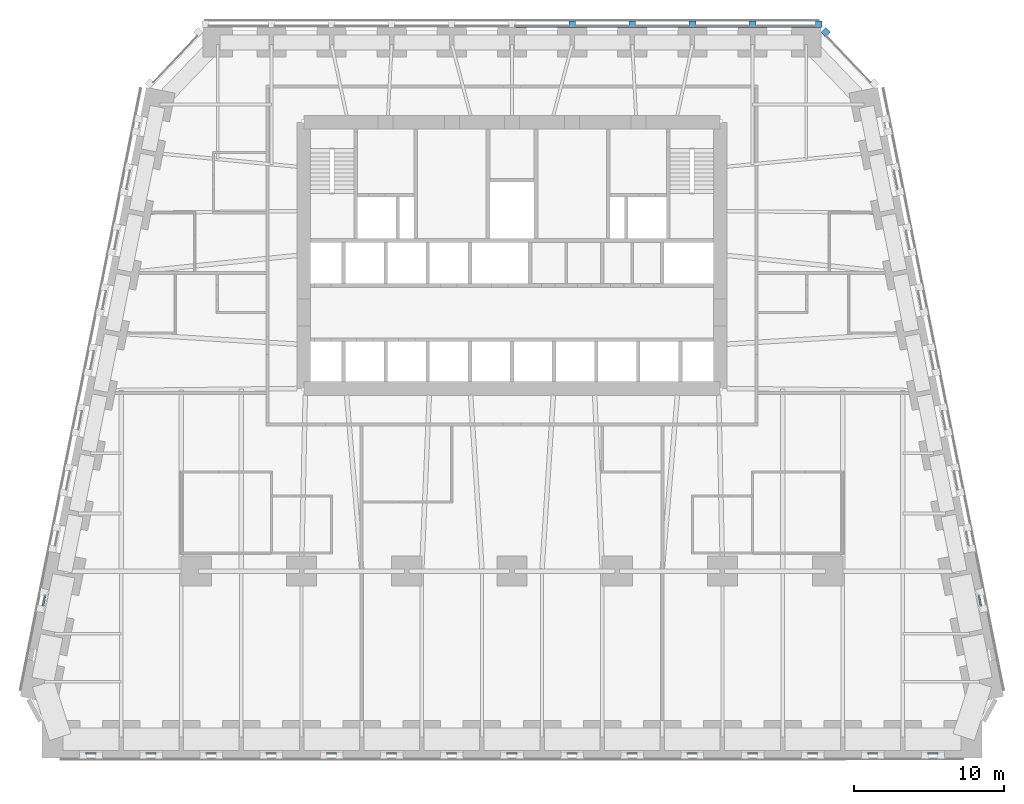
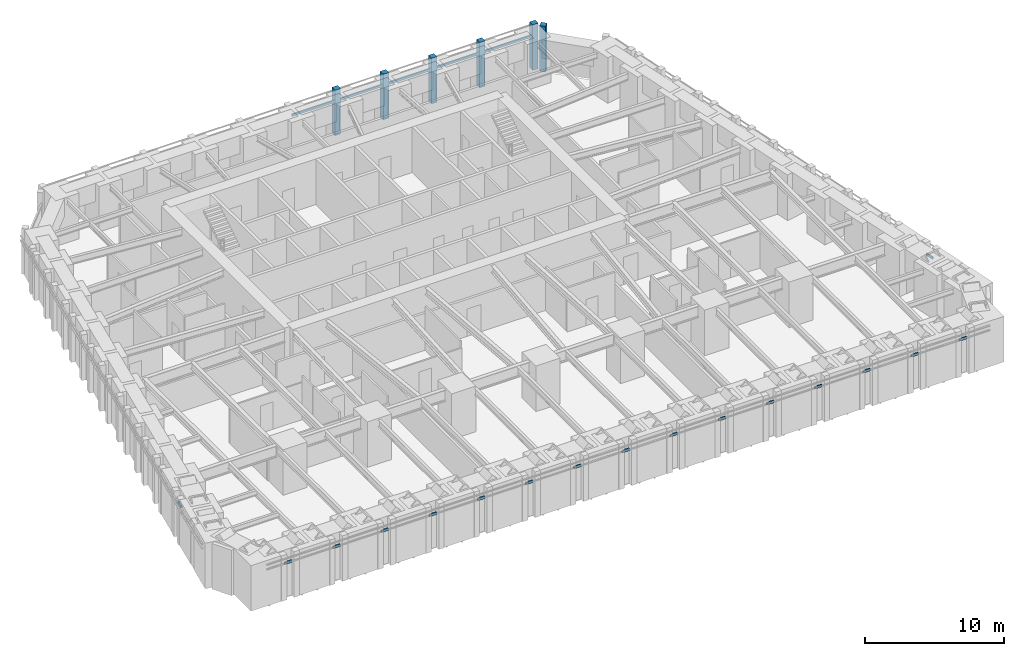
# One storey, part 5 of 16: 28 members, 19 elements without a shape of their own.
"""IFC4 building model written with IfcOpenShell, lengths in metres."""

from ifc_helpers import new_model, si_unit, direction, frame, origin, origin_2d, place, context, subcontext, project, spatial, rectangle, extrude, material, material_profile, profile_set, type_object, element, aggregate, save


model = new_model("IFC4")

# Units and contexts
model_context = context("Model", 3, precision=1e-05, world=origin(), true_north=direction((0.0, 1.0)))
body_context = subcontext(model_context, "Body", "Model", "MODEL_VIEW")
ifc_project = project(units=[si_unit("LENGTHUNIT", "METRE"), si_unit("AREAUNIT", "SQUARE_METRE"), si_unit("VOLUMEUNIT", "CUBIC_METRE"), si_unit("PLANEANGLEUNIT", "RADIAN"), si_unit("MASSUNIT", "GRAM", prefix="KILO")], contexts=[model_context])

# Site, building, storey
site_placement = place(None, origin())
site = spatial("IfcSite", under=ifc_project, at=site_placement, CompositionType="ELEMENT")
building_placement = place(site_placement, origin())
building = spatial("IfcBuilding", under=site, at=building_placement, Name="Isbrekke Arena Tower", CompositionType="ELEMENT")
storey_placement = place(building_placement, frame((0.0, 0.0, 36.0)))
storey = spatial("IfcBuildingStorey", under=building, at=storey_placement, Name="L06", CompositionType="ELEMENT", Elevation=36.0)

# Curtain wall, member
ifc_material_1 = material(Name="Glazed aluminium curtain wall", Category="aluminium")
curtain_wall_type = type_object("IfcCurtainWallType", Name="CWL TOWER CURTAIN WALL LOW ZONE", PredefinedType="USERDEFINED", material=ifc_material_1)
curtain_wall_1_placement = place(storey_placement, origin())
curtain_wall_1 = element("IfcCurtainWall", 1, at=curtain_wall_1_placement, inside=storey, type_object=curtain_wall_type, Name="CWL curtain wall L06-EN", ObjectType="TOWER CURTAIN WALL LOW ZONE", PredefinedType="USERDEFINED")
ifc_material_2 = material(Name="Aluminium mullion, pale brick slip cladding", Category="masonry")
ifc_material_profile_1 = material_profile(ifc_material_2, rectangle(XDim=0.449951171875, YDim=0.449951171875, at=origin_2d()), Name="PIER 450X450")
ifc_profile_set_1 = profile_set([ifc_material_profile_1], Name="Aluminium mullion, pale brick slip cladding")
member_type_1 = type_object("IfcMemberType", Name="CWL-M PIER MULLION 450 x 450", PredefinedType="MULLION", material=ifc_profile_set_1)
member_1_placement = place(storey_placement, frame((20.86572265625, 29.83642578125, 0.0), z_axis=(0.0, 0.0, 1.0), x_axis=(-0.68874946192, 0.72499943359, 0.0)))
member_1 = element("IfcMember", 2, at=member_1_placement, type_object=member_type_1, Name="CWL-M mullion 2", PredefinedType="MULLION", context=body_context, shape_type="SweptSolid", body=[
    extrude(rectangle(XDim=0.449951171875, YDim=0.449951171875, at=origin_2d()), origin(), (0.0, 0.0, 1.0), 4.0),
])
aggregate(curtain_wall_1, [member_1])

# Curtain wall, members
curtain_wall_2_placement = place(storey_placement, origin())
curtain_wall_2 = element("IfcCurtainWall", 3, at=curtain_wall_2_placement, inside=storey, type_object=curtain_wall_type, Name="CWL curtain wall L06-N", ObjectType="TOWER CURTAIN WALL LOW ZONE", PredefinedType="USERDEFINED")
member_2_placement = place(storey_placement, frame((20.39990234375, 30.375, 0.0), z_axis=(0.0, 0.0, 1.0), x_axis=(-1.0, 0.0, 0.0)))
member_2 = element("IfcMember", 4, at=member_2_placement, type_object=member_type_1, Name="CWL-M mullion 1", PredefinedType="MULLION", context=body_context, shape_type="SweptSolid", body=[
    extrude(rectangle(XDim=0.449951171875, YDim=0.449951171875, at=origin_2d()), origin(), (0.0, 0.0, 1.0), 4.0),
])
member_3_placement = place(storey_placement, frame((16.0, 30.375, 0.0), z_axis=(0.0, 0.0, 1.0), x_axis=(-1.0, 0.0, 0.0)))
member_3 = element("IfcMember", 5, at=member_3_placement, type_object=member_type_1, Name="CWL-M mullion 2", PredefinedType="MULLION", context=body_context, shape_type="SweptSolid", body=[
    extrude(rectangle(XDim=0.449951171875, YDim=0.449951171875, at=origin_2d()), origin(), (0.0, 0.0, 1.0), 4.0),
])
member_4_placement = place(storey_placement, frame((12.0, 30.375, 0.0), z_axis=(0.0, 0.0, 1.0), x_axis=(-1.0, 0.0, 0.0)))
member_4 = element("IfcMember", 6, at=member_4_placement, type_object=member_type_1, Name="CWL-M mullion 3", PredefinedType="MULLION", context=body_context, shape_type="SweptSolid", body=[
    extrude(rectangle(XDim=0.449951171875, YDim=0.449951171875, at=origin_2d()), origin(), (0.0, 0.0, 1.0), 4.0),
])
member_5_placement = place(storey_placement, frame((8.0, 30.375, 0.0), z_axis=(0.0, 0.0, 1.0), x_axis=(-1.0, 0.0, 0.0)))
member_5 = element("IfcMember", 7, at=member_5_placement, type_object=member_type_1, Name="CWL-M mullion 4", PredefinedType="MULLION", context=body_context, shape_type="SweptSolid", body=[
    extrude(rectangle(XDim=0.449951171875, YDim=0.449951171875, at=origin_2d()), origin(), (0.0, 0.0, 1.0), 4.0),
])
member_6_placement = place(storey_placement, frame((4.0, 30.375, 0.0), z_axis=(0.0, 0.0, 1.0), x_axis=(-1.0, 0.0, 0.0)))
member_6 = element("IfcMember", 8, at=member_6_placement, type_object=member_type_1, Name="CWL-M mullion 5", PredefinedType="MULLION", context=body_context, shape_type="SweptSolid", body=[
    extrude(rectangle(XDim=0.449951171875, YDim=0.449951171875, at=origin_2d()), origin(), (0.0, 0.0, 1.0), 4.0),
])

# Curtain wall, member
curtain_wall_3_placement = place(storey_placement, origin())
curtain_wall_3 = element("IfcCurtainWall", 9, at=curtain_wall_3_placement, inside=storey, type_object=curtain_wall_type, Name="CWL curtain wall L06-S", ObjectType="TOWER CURTAIN WALL LOW ZONE", PredefinedType="USERDEFINED")
ifc_material_3 = material(Name="Aluminium transom", Category="aluminium")
ifc_material_profile_2 = material_profile(ifc_material_3, rectangle(XDim=0.1201171875, YDim=0.199951171875, at=origin_2d()), Name="TRANSOM 120X200")
ifc_profile_set_2 = profile_set([ifc_material_profile_2], Name="Aluminium transom")
member_type_2 = type_object("IfcMemberType", Name="CWL-T TRANSOM 120 x 200", PredefinedType="USERDEFINED", material=ifc_profile_set_2)
member_7_placement = place(storey_placement, frame((-28.302001953125, -18.125, 3.0), z_axis=(1.0, 0.0, 0.0), x_axis=(0.0, 1.0, 0.0)))
member_7 = element("IfcMember", 10, at=member_7_placement, type_object=member_type_2, Name="CWL-T transom 1", ObjectType="TRANSOM", PredefinedType="USERDEFINED", context=body_context, shape_type="SweptSolid", body=[
    extrude(rectangle(XDim=0.1201171875, YDim=0.199951171875, at=origin_2d()), origin(), (0.0, 0.0, 1.0), 0.60205078125),
])
aggregate(curtain_wall_3, [member_7])

curtain_wall_4_placement = place(storey_placement, origin())
curtain_wall_4 = element("IfcCurtainWall", 11, at=curtain_wall_4_placement, inside=storey, type_object=curtain_wall_type, Name="CWL curtain wall L06-S3", ObjectType="TOWER CURTAIN WALL LOW ZONE", PredefinedType="USERDEFINED")
member_8_placement = place(storey_placement, frame((-24.300048828125, -18.125, 3.0), z_axis=(1.0, 0.0, 0.0), x_axis=(0.0, 1.0, 0.0)))
member_8 = element("IfcMember", 12, at=member_8_placement, type_object=member_type_2, Name="CWL-T transom 1", ObjectType="TRANSOM", PredefinedType="USERDEFINED", context=body_context, shape_type="SweptSolid", body=[
    extrude(rectangle(XDim=0.1201171875, YDim=0.199951171875, at=origin_2d()), origin(), (0.0, 0.0, 1.0), 0.60009765625),
])
aggregate(curtain_wall_4, [member_8])

curtain_wall_5_placement = place(storey_placement, origin())
curtain_wall_5 = element("IfcCurtainWall", 13, at=curtain_wall_5_placement, inside=storey, type_object=curtain_wall_type, Name="CWL curtain wall L06-S5", ObjectType="TOWER CURTAIN WALL LOW ZONE", PredefinedType="USERDEFINED")
member_9_placement = place(storey_placement, frame((-20.300048828125, -18.125, 3.0), z_axis=(1.0, 0.0, 0.0), x_axis=(0.0, 1.0, 0.0)))
member_9 = element("IfcMember", 14, at=member_9_placement, type_object=member_type_2, Name="CWL-T transom 1", ObjectType="TRANSOM", PredefinedType="USERDEFINED", context=body_context, shape_type="SweptSolid", body=[
    extrude(rectangle(XDim=0.1201171875, YDim=0.199951171875, at=origin_2d()), origin(), (0.0, 0.0, 1.0), 0.60009765625),
])
aggregate(curtain_wall_5, [member_9])

curtain_wall_6_placement = place(storey_placement, origin())
curtain_wall_6 = element("IfcCurtainWall", 15, at=curtain_wall_6_placement, inside=storey, type_object=curtain_wall_type, Name="CWL curtain wall L06-S7", ObjectType="TOWER CURTAIN WALL LOW ZONE", PredefinedType="USERDEFINED")
member_10_placement = place(storey_placement, frame((-16.300048828125, -18.125, 3.0), z_axis=(1.0, 0.0, 0.0), x_axis=(0.0, 1.0, 0.0)))
member_10 = element("IfcMember", 16, at=member_10_placement, type_object=member_type_2, Name="CWL-T transom 1", ObjectType="TRANSOM", PredefinedType="USERDEFINED", context=body_context, shape_type="SweptSolid", body=[
    extrude(rectangle(XDim=0.1201171875, YDim=0.199951171875, at=origin_2d()), origin(), (0.0, 0.0, 1.0), 0.60009765625),
])
aggregate(curtain_wall_6, [member_10])

curtain_wall_7_placement = place(storey_placement, origin())
curtain_wall_7 = element("IfcCurtainWall", 17, at=curtain_wall_7_placement, inside=storey, type_object=curtain_wall_type, Name="CWL curtain wall L06-S9", ObjectType="TOWER CURTAIN WALL LOW ZONE", PredefinedType="USERDEFINED")
member_11_placement = place(storey_placement, frame((-12.300048828125, -18.125, 3.0), z_axis=(1.0, 0.0, 0.0), x_axis=(0.0, 1.0, 0.0)))
member_11 = element("IfcMember", 18, at=member_11_placement, type_object=member_type_2, Name="CWL-T transom 1", ObjectType="TRANSOM", PredefinedType="USERDEFINED", context=body_context, shape_type="SweptSolid", body=[
    extrude(rectangle(XDim=0.1201171875, YDim=0.199951171875, at=origin_2d()), origin(), (0.0, 0.0, 1.0), 0.60009765625),
])
aggregate(curtain_wall_7, [member_11])

curtain_wall_8_placement = place(storey_placement, origin())
curtain_wall_8 = element("IfcCurtainWall", 19, at=curtain_wall_8_placement, inside=storey, type_object=curtain_wall_type, Name="CWL curtain wall L06-S11", ObjectType="TOWER CURTAIN WALL LOW ZONE", PredefinedType="USERDEFINED")
member_12_placement = place(storey_placement, frame((-8.300048828125, -18.125, 3.0), z_axis=(1.0, 0.0, 0.0), x_axis=(0.0, 1.0, 0.0)))
member_12 = element("IfcMember", 20, at=member_12_placement, type_object=member_type_2, Name="CWL-T transom 1", ObjectType="TRANSOM", PredefinedType="USERDEFINED", context=body_context, shape_type="SweptSolid", body=[
    extrude(rectangle(XDim=0.1201171875, YDim=0.199951171875, at=origin_2d()), origin(), (0.0, 0.0, 1.0), 0.60009765625),
])
aggregate(curtain_wall_8, [member_12])

curtain_wall_9_placement = place(storey_placement, origin())
curtain_wall_9 = element("IfcCurtainWall", 21, at=curtain_wall_9_placement, inside=storey, type_object=curtain_wall_type, Name="CWL curtain wall L06-S13", ObjectType="TOWER CURTAIN WALL LOW ZONE", PredefinedType="USERDEFINED")
member_13_placement = place(storey_placement, frame((-4.300048828125, -18.125, 3.0), z_axis=(1.0, 0.0, 0.0), x_axis=(0.0, 1.0, 0.0)))
member_13 = element("IfcMember", 22, at=member_13_placement, type_object=member_type_2, Name="CWL-T transom 1", ObjectType="TRANSOM", PredefinedType="USERDEFINED", context=body_context, shape_type="SweptSolid", body=[
    extrude(rectangle(XDim=0.1201171875, YDim=0.199951171875, at=origin_2d()), origin(), (0.0, 0.0, 1.0), 0.60009765625),
])
aggregate(curtain_wall_9, [member_13])

curtain_wall_10_placement = place(storey_placement, origin())
curtain_wall_10 = element("IfcCurtainWall", 23, at=curtain_wall_10_placement, inside=storey, type_object=curtain_wall_type, Name="CWL curtain wall L06-S15", ObjectType="TOWER CURTAIN WALL LOW ZONE", PredefinedType="USERDEFINED")
member_14_placement = place(storey_placement, frame((-0.300048828125, -18.125, 3.0), z_axis=(1.0, 0.0, 0.0), x_axis=(0.0, 1.0, 0.0)))
member_14 = element("IfcMember", 24, at=member_14_placement, type_object=member_type_2, Name="CWL-T transom 1", ObjectType="TRANSOM", PredefinedType="USERDEFINED", context=body_context, shape_type="SweptSolid", body=[
    extrude(rectangle(XDim=0.1201171875, YDim=0.199951171875, at=origin_2d()), origin(), (0.0, 0.0, 1.0), 0.60009765625),
])
aggregate(curtain_wall_10, [member_14])

curtain_wall_11_placement = place(storey_placement, origin())
curtain_wall_11 = element("IfcCurtainWall", 25, at=curtain_wall_11_placement, inside=storey, type_object=curtain_wall_type, Name="CWL curtain wall L06-S17", ObjectType="TOWER CURTAIN WALL LOW ZONE", PredefinedType="USERDEFINED")
member_15_placement = place(storey_placement, frame((3.699951171875, -18.125, 3.0), z_axis=(1.0, 0.0, 0.0), x_axis=(0.0, 1.0, 0.0)))
member_15 = element("IfcMember", 26, at=member_15_placement, type_object=member_type_2, Name="CWL-T transom 1", ObjectType="TRANSOM", PredefinedType="USERDEFINED", context=body_context, shape_type="SweptSolid", body=[
    extrude(rectangle(XDim=0.1201171875, YDim=0.199951171875, at=origin_2d()), origin(), (0.0, 0.0, 1.0), 0.60009765625),
])
aggregate(curtain_wall_11, [member_15])

curtain_wall_12_placement = place(storey_placement, origin())
curtain_wall_12 = element("IfcCurtainWall", 27, at=curtain_wall_12_placement, inside=storey, type_object=curtain_wall_type, Name="CWL curtain wall L06-S19", ObjectType="TOWER CURTAIN WALL LOW ZONE", PredefinedType="USERDEFINED")
member_16_placement = place(storey_placement, frame((7.699951171875, -18.125, 3.0), z_axis=(1.0, 0.0, 0.0), x_axis=(0.0, 1.0, 0.0)))
member_16 = element("IfcMember", 28, at=member_16_placement, type_object=member_type_2, Name="CWL-T transom 1", ObjectType="TRANSOM", PredefinedType="USERDEFINED", context=body_context, shape_type="SweptSolid", body=[
    extrude(rectangle(XDim=0.1201171875, YDim=0.199951171875, at=origin_2d()), origin(), (0.0, 0.0, 1.0), 0.60009765625),
])
aggregate(curtain_wall_12, [member_16])

curtain_wall_13_placement = place(storey_placement, origin())
curtain_wall_13 = element("IfcCurtainWall", 29, at=curtain_wall_13_placement, inside=storey, type_object=curtain_wall_type, Name="CWL curtain wall L06-S21", ObjectType="TOWER CURTAIN WALL LOW ZONE", PredefinedType="USERDEFINED")
member_17_placement = place(storey_placement, frame((11.699951171875, -18.125, 3.0), z_axis=(1.0, 0.0, 0.0), x_axis=(0.0, 1.0, 0.0)))
member_17 = element("IfcMember", 30, at=member_17_placement, type_object=member_type_2, Name="CWL-T transom 1", ObjectType="TRANSOM", PredefinedType="USERDEFINED", context=body_context, shape_type="SweptSolid", body=[
    extrude(rectangle(XDim=0.1201171875, YDim=0.199951171875, at=origin_2d()), origin(), (0.0, 0.0, 1.0), 0.60009765625),
])
aggregate(curtain_wall_13, [member_17])

curtain_wall_14_placement = place(storey_placement, origin())
curtain_wall_14 = element("IfcCurtainWall", 31, at=curtain_wall_14_placement, inside=storey, type_object=curtain_wall_type, Name="CWL curtain wall L06-S23", ObjectType="TOWER CURTAIN WALL LOW ZONE", PredefinedType="USERDEFINED")
member_18_placement = place(storey_placement, frame((15.699951171875, -18.125, 3.0), z_axis=(1.0, 0.0, 0.0), x_axis=(0.0, 1.0, 0.0)))
member_18 = element("IfcMember", 32, at=member_18_placement, type_object=member_type_2, Name="CWL-T transom 1", ObjectType="TRANSOM", PredefinedType="USERDEFINED", context=body_context, shape_type="SweptSolid", body=[
    extrude(rectangle(XDim=0.1201171875, YDim=0.199951171875, at=origin_2d()), origin(), (0.0, 0.0, 1.0), 0.60009765625),
])
aggregate(curtain_wall_14, [member_18])

curtain_wall_15_placement = place(storey_placement, origin())
curtain_wall_15 = element("IfcCurtainWall", 33, at=curtain_wall_15_placement, inside=storey, type_object=curtain_wall_type, Name="CWL curtain wall L06-S25", ObjectType="TOWER CURTAIN WALL LOW ZONE", PredefinedType="USERDEFINED")
member_19_placement = place(storey_placement, frame((19.699951171875, -18.125, 3.0), z_axis=(1.0, 0.0, 0.0), x_axis=(0.0, 1.0, 0.0)))
member_19 = element("IfcMember", 34, at=member_19_placement, type_object=member_type_2, Name="CWL-T transom 1", ObjectType="TRANSOM", PredefinedType="USERDEFINED", context=body_context, shape_type="SweptSolid", body=[
    extrude(rectangle(XDim=0.1201171875, YDim=0.199951171875, at=origin_2d()), origin(), (0.0, 0.0, 1.0), 0.60009765625),
])
aggregate(curtain_wall_15, [member_19])

curtain_wall_16_placement = place(storey_placement, origin())
curtain_wall_16 = element("IfcCurtainWall", 35, at=curtain_wall_16_placement, inside=storey, type_object=curtain_wall_type, Name="CWL curtain wall L06-S27", ObjectType="TOWER CURTAIN WALL LOW ZONE", PredefinedType="USERDEFINED")
member_20_placement = place(storey_placement, frame((23.699951171875, -18.125, 3.0), z_axis=(1.0, 0.0, 0.0), x_axis=(0.0, 1.0, 0.0)))
member_20 = element("IfcMember", 36, at=member_20_placement, type_object=member_type_2, Name="CWL-T transom 1", ObjectType="TRANSOM", PredefinedType="USERDEFINED", context=body_context, shape_type="SweptSolid", body=[
    extrude(rectangle(XDim=0.1201171875, YDim=0.199951171875, at=origin_2d()), origin(), (0.0, 0.0, 1.0), 0.60009765625),
])
aggregate(curtain_wall_16, [member_20])

curtain_wall_17_placement = place(storey_placement, origin())
curtain_wall_17 = element("IfcCurtainWall", 37, at=curtain_wall_17_placement, inside=storey, type_object=curtain_wall_type, Name="CWL curtain wall L06-S29", ObjectType="TOWER CURTAIN WALL LOW ZONE", PredefinedType="USERDEFINED")
member_21_placement = place(storey_placement, frame((27.699951171875, -18.125, 3.0), z_axis=(1.0, 0.0, 0.0), x_axis=(0.0, 1.0, 0.0)))
member_21 = element("IfcMember", 38, at=member_21_placement, type_object=member_type_2, Name="CWL-T transom 1", ObjectType="TRANSOM", PredefinedType="USERDEFINED", context=body_context, shape_type="SweptSolid", body=[
    extrude(rectangle(XDim=0.1201171875, YDim=0.199951171875, at=origin_2d()), origin(), (0.0, 0.0, 1.0), 0.60205078125),
])
aggregate(curtain_wall_17, [member_21])

curtain_wall_18_placement = place(storey_placement, origin())
curtain_wall_18 = element("IfcCurtainWall", 39, at=curtain_wall_18_placement, inside=storey, type_object=curtain_wall_type, Name="CWL curtain wall L06-E3", ObjectType="TOWER CURTAIN WALL LOW ZONE", PredefinedType="USERDEFINED")
member_22_placement = place(storey_placement, frame((31.189208984375, -8.30859375, 3.0), z_axis=(-0.196254379441, 0.980553016695, 0.0), x_axis=(-0.980553016695, -0.196254379441, 0.0)))
member_22 = element("IfcMember", 40, at=member_22_placement, type_object=member_type_2, Name="CWL-T transom 1", ObjectType="TRANSOM", PredefinedType="USERDEFINED", context=body_context, shape_type="SweptSolid", body=[
    extrude(rectangle(XDim=0.1201171875, YDim=0.199951171875, at=origin_2d()), origin(), (0.0, 0.0, 1.0), 0.67919921875),
])
aggregate(curtain_wall_18, [member_22])

# Member
member_23_placement = place(storey_placement, frame((20.175048828125, 30.25, 3.0), z_axis=(-1.0, 0.0, 0.0), x_axis=(0.0, -1.0, 0.0)))
member_23 = element("IfcMember", 41, at=member_23_placement, type_object=member_type_2, Name="CWL-T transom 1", ObjectType="TRANSOM", PredefinedType="USERDEFINED", context=body_context, shape_type="SweptSolid", body=[
    extrude(rectangle(XDim=0.1201171875, YDim=0.199951171875, at=origin_2d()), origin(), (0.0, 0.0, 1.0), 3.949951171875),
])

member_24_placement = place(storey_placement, frame((15.77490234375, 30.25, 3.0), z_axis=(-1.0, 0.0, 0.0), x_axis=(0.0, -1.0, 0.0)))
member_24 = element("IfcMember", 42, at=member_24_placement, type_object=member_type_2, Name="CWL-T transom 2", ObjectType="TRANSOM", PredefinedType="USERDEFINED", context=body_context, shape_type="SweptSolid", body=[
    extrude(rectangle(XDim=0.1201171875, YDim=0.199951171875, at=origin_2d()), origin(), (0.0, 0.0, 1.0), 3.5498046875),
])

member_25_placement = place(storey_placement, frame((11.77490234375, 30.25, 3.0), z_axis=(-1.0, 0.0, 0.0), x_axis=(0.0, -1.0, 0.0)))
member_25 = element("IfcMember", 43, at=member_25_placement, type_object=member_type_2, Name="CWL-T transom 3", ObjectType="TRANSOM", PredefinedType="USERDEFINED", context=body_context, shape_type="SweptSolid", body=[
    extrude(rectangle(XDim=0.1201171875, YDim=0.199951171875, at=origin_2d()), origin(), (0.0, 0.0, 1.0), 3.5498046875),
])

member_26_placement = place(storey_placement, frame((7.77490234375, 30.25, 3.0), z_axis=(-1.0, 0.0, 0.0), x_axis=(0.0, -1.0, 0.0)))
member_26 = element("IfcMember", 44, at=member_26_placement, type_object=member_type_2, Name="CWL-T transom 4", ObjectType="TRANSOM", PredefinedType="USERDEFINED", context=body_context, shape_type="SweptSolid", body=[
    extrude(rectangle(XDim=0.1201171875, YDim=0.199951171875, at=origin_2d()), origin(), (0.0, 0.0, 1.0), 3.5498046875),
])

member_27_placement = place(storey_placement, frame((3.77490234375, 30.25, 3.0), z_axis=(-1.0, 0.0, 0.0), x_axis=(0.0, -1.0, 0.0)))
member_27 = element("IfcMember", 45, at=member_27_placement, type_object=member_type_2, Name="CWL-T transom 5", ObjectType="TRANSOM", PredefinedType="USERDEFINED", context=body_context, shape_type="SweptSolid", body=[
    extrude(rectangle(XDim=0.1201171875, YDim=0.199951171875, at=origin_2d()), origin(), (0.0, 0.0, 1.0), 3.5498046875),
])

aggregate(curtain_wall_2, [member_2, member_3, member_4, member_5, member_6, member_23, member_24, member_25, member_26, member_27])

# Curtain wall, member
curtain_wall_19_placement = place(storey_placement, origin())
curtain_wall_19 = element("IfcCurtainWall", 46, at=curtain_wall_19_placement, inside=storey, type_object=curtain_wall_type, Name="CWL curtain wall L06-W17", ObjectType="TOWER CURTAIN WALL LOW ZONE", PredefinedType="USERDEFINED")
member_28_placement = place(storey_placement, frame((-31.055908203125, -7.642578125, 3.0), z_axis=(-0.196254379441, -0.980553016695, 0.0), x_axis=(0.980553016695, -0.196254379441, 0.0)))
member_28 = element("IfcMember", 47, at=member_28_placement, type_object=member_type_2, Name="CWL-T transom 1", ObjectType="TRANSOM", PredefinedType="USERDEFINED", context=body_context, shape_type="SweptSolid", body=[
    extrude(rectangle(XDim=0.1201171875, YDim=0.199951171875, at=origin_2d()), origin(), (0.0, 0.0, 1.0), 0.67919921875),
])
aggregate(curtain_wall_19, [member_28])

save(model, "model.ifc")
